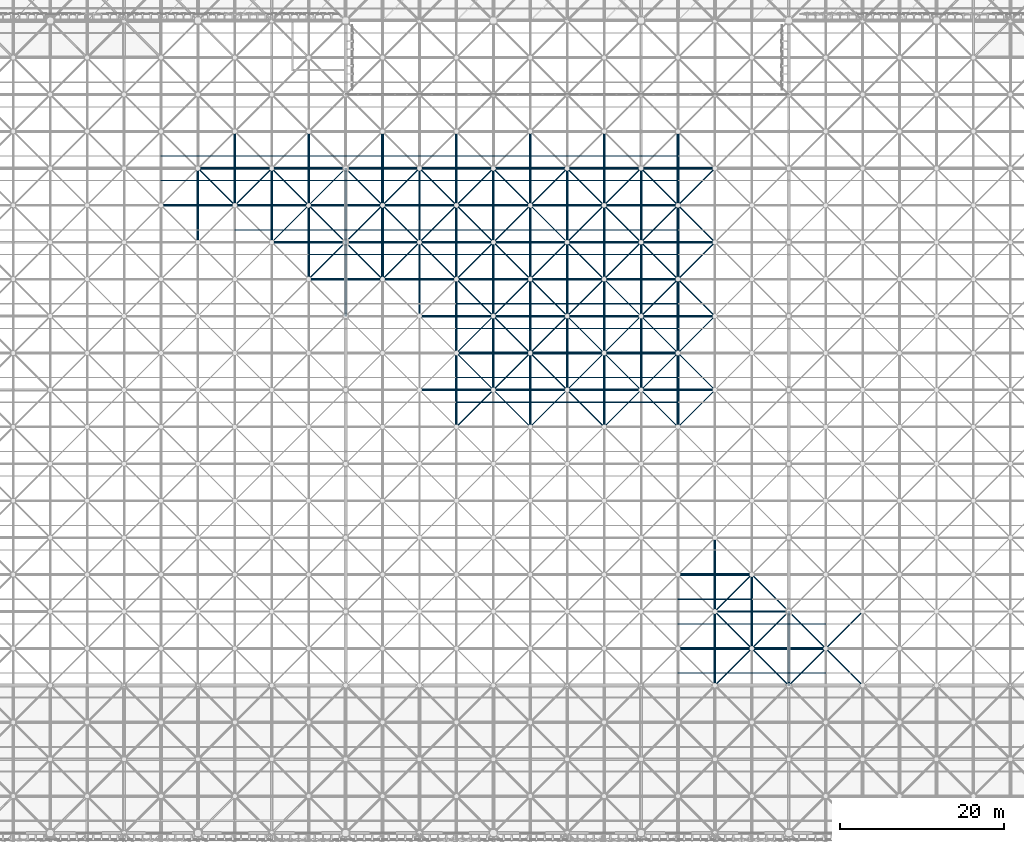
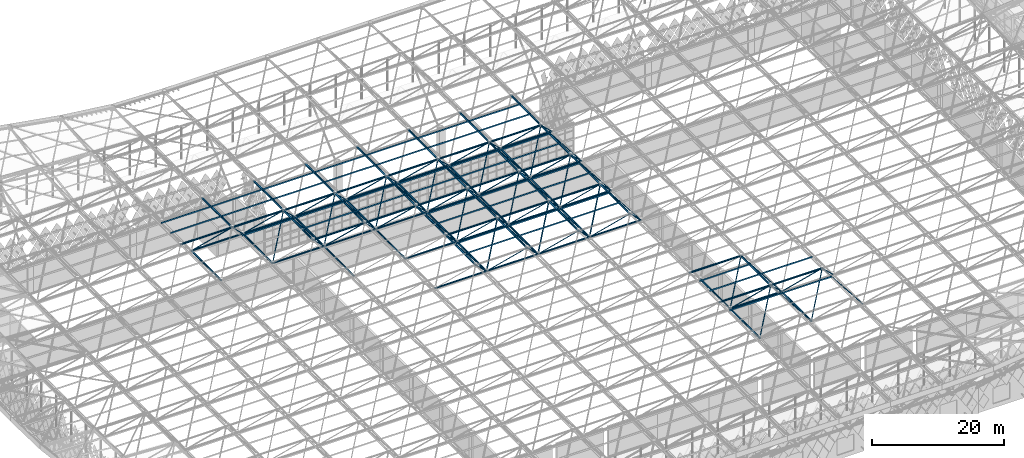
# One storey, part 92 of 437: 197 members.
"""IFC4 building model written with IfcOpenShell, lengths in metres."""

import ifcopenshell
import ifcopenshell.guid

model = None  # the IFC model being written
_history = None  # IfcOwnerHistory: only IFC2X3 demands one
_inside = {}  # id of a spatial element -> (the spatial element, [elements in it])
_under = {}  # id of a project, library or spatial element -> (it, [spatial elements below it])
_declared = {}  # id of a project -> (the project, [libraries it declares])
_typed = {}  # id of a type object -> (the type object, [elements of that type])
_made_of = {}  # id of a material, layer set ... -> (it, [elements and type objects made of it])


def new_model(schema):
    """Start an empty IFC model of exactly this schema.

    Asked for "IFC4X3", IfcOpenShell would pick the latest addendum, in which some entities
    have other attributes; the version numbers below select the first issue.
    IFC2X3 requires an IfcOwnerHistory on every rooted entity: one is made here for all.
    """
    global model, _history
    if schema == "IFC4X3":
        model = ifcopenshell.file(schema_version=(4, 3, 0, 0))
    else:
        model = ifcopenshell.file(schema=schema)
    _inside.clear()
    _under.clear()
    _declared.clear()
    _typed.clear()
    _made_of.clear()
    _history = None
    if model.schema == "IFC2X3":
        org = make("IfcOrganization", Name="unknown")
        user = make(
            "IfcPersonAndOrganization",
            ThePerson=make("IfcPerson", FamilyName="unknown"),
            TheOrganization=org,
        )
        app = make(
            "IfcApplication",
            ApplicationDeveloper=org,
            Version="unknown",
            ApplicationFullName="unknown",
            ApplicationIdentifier="unknown",
        )
        _history = make(
            "IfcOwnerHistory",
            OwningUser=user,
            OwningApplication=app,
            ChangeAction="ADDED",
            CreationDate=0,
        )
    return model


def make(cls, **values):
    """One entity of the class cls with the attributes given. An attribute that is None is left unset."""
    return model.create_entity(
        cls, **{name: value for name, value in values.items() if value is not None}
    )


def rooted(cls, **values):
    """An entity with a GlobalId (a new one), such as an element, a storey or a relation."""
    return make(cls, GlobalId=ifcopenshell.guid.new(), OwnerHistory=_history, **values)


def si_unit(unit_type, name, prefix=None):
    """IfcSIUnit, for example si_unit("LENGTHUNIT", "METRE", prefix="MILLI")."""
    return make("IfcSIUnit", UnitType=unit_type, Prefix=prefix, Name=name)


def assignment(units):
    """IfcUnitAssignment: the units of a project."""
    return None if units is None else make("IfcUnitAssignment", Units=units)


def point(xyz):
    """IfcCartesianPoint."""
    return None if xyz is None else make("IfcCartesianPoint", Coordinates=xyz)


def direction(xyz):
    """IfcDirection."""
    return None if xyz is None else make("IfcDirection", DirectionRatios=xyz)


def frame(location, z_axis=None, x_axis=None):
    """IfcAxis2Placement3D, a coordinate frame: its origin and axes. An axis left out is left unset."""
    return make(
        "IfcAxis2Placement3D",
        Location=point(location),
        Axis=direction(z_axis),
        RefDirection=direction(x_axis),
    )


def frame_2d(location, x_axis=None):
    """IfcAxis2Placement2D, a coordinate frame in the plane: its origin and x axis."""
    return make(
        "IfcAxis2Placement2D", Location=point(location), RefDirection=direction(x_axis)
    )


def origin():
    """The frame at (0, 0, 0) with its axes left unset."""
    return frame((0.0, 0.0, 0.0))


def origin_2d():
    """The frame at (0, 0) in the plane with its x axis left unset."""
    return frame_2d((0.0, 0.0))


def place(relative_to, where):
    """IfcLocalPlacement: puts the frame where relative to a parent placement (None: the world)."""
    return make(
        "IfcLocalPlacement", PlacementRelTo=relative_to, RelativePlacement=where
    )


def context(
    kind, dimensions, precision=None, world=None, true_north=None, identifier=None
):
    """IfcGeometricRepresentationContext, for example the 3D "Model" context."""
    return make(
        "IfcGeometricRepresentationContext",
        ContextIdentifier=identifier,
        ContextType=kind,
        CoordinateSpaceDimension=dimensions,
        Precision=precision,
        WorldCoordinateSystem=world,
        TrueNorth=true_north,
    )


def subcontext(parent, identifier, kind, view, scale=None):
    """IfcGeometricRepresentationSubContext, for example "Body" below "Model"."""
    return make(
        "IfcGeometricRepresentationSubContext",
        ContextIdentifier=identifier,
        ContextType=kind,
        ParentContext=parent,
        TargetScale=scale,
        TargetView=view,
    )


def project(units=None, contexts=None):
    """IfcProject with its units and contexts."""
    return rooted(
        "IfcProject",
        Name="project",
        RepresentationContexts=contexts,
        UnitsInContext=assignment(units),
    )


def spatial(cls, under=None, at=None, **own):
    """A site, building, storey or space (cls), placed at a placement, below another one or the project."""
    s = rooted(cls, ObjectPlacement=at, **own)
    if under is not None:
        _under.setdefault(under.id(), (under, []))[1].append(s)
    return s


def polyline(points):
    """IfcPolyline through the points."""
    return make("IfcPolyline", Points=[point(p) for p in points])


def profile(cls, at=None, kind="AREA", **sizes):
    """A parametric profile (cls). Its sizes go by their IFC names, for example OverallWidth=200.0."""
    return make(cls, ProfileType=kind, Position=at, **sizes)


def hollow_circle(**sizes):
    """IfcCircleHollowProfileDef."""
    return profile("IfcCircleHollowProfileDef", **sizes)


def outline(outer, holes=None, kind="AREA"):
    """IfcArbitraryClosedProfileDef: a profile drawn as a closed curve; with holes, ...WithVoids."""
    if holes is None:
        return make("IfcArbitraryClosedProfileDef", ProfileType=kind, OuterCurve=outer)
    return make(
        "IfcArbitraryProfileDefWithVoids",
        ProfileType=kind,
        OuterCurve=outer,
        InnerCurves=holes,
    )


def extrude(swept, where, along, depth):
    """IfcExtrudedAreaSolid: the profile swept, set in the frame where, extruded along a direction by depth."""
    return make(
        "IfcExtrudedAreaSolid",
        SweptArea=swept,
        Position=where,
        ExtrudedDirection=direction(along),
        Depth=depth,
    )


def shape(context_of_items, identifier, shape_type, items):
    """IfcShapeRepresentation: the items that make up one representation, for example the "Body"."""
    return make(
        "IfcShapeRepresentation",
        ContextOfItems=context_of_items,
        RepresentationIdentifier=identifier,
        RepresentationType=shape_type,
        Items=items,
    )


def material(Name=None, Category=None):
    """IfcMaterial."""
    return make("IfcMaterial", Name=Name, Category=Category)


def material_profile(
    of_material, cross_section, Name=None, Category=None, Priority=None
):
    """IfcMaterialProfile: a cross section and its material."""
    return make(
        "IfcMaterialProfile",
        Name=Name,
        Material=of_material,
        Profile=cross_section,
        Priority=Priority,
        Category=Category,
    )


def profile_set(profiles, Name=None, composite=None):
    """IfcMaterialProfileSet."""
    return make(
        "IfcMaterialProfileSet",
        Name=Name,
        MaterialProfiles=profiles,
        CompositeProfile=composite,
    )


def made_of(thing, what):
    """Note that an element or type object is made of a material, layer set ...; save() writes the relation."""
    if what is not None:
        _made_of.setdefault(what.id(), (what, []))[1].append(thing)
    return thing


def type_object(cls, material=None, **own):
    """A type object (cls), such as IfcWallType, which elements share."""
    return made_of(rooted(cls, **own), material)


def element(
    cls,
    number,
    at=None,
    inside=None,
    cuts=None,
    type_object=None,
    material=None,
    context=None,
    identifier="Body",
    shape_type=None,
    held_by="IfcProductDefinitionShape",
    body=None,
    shapes=None,
    **own,
):
    """One element of the class cls, such as IfcWall. Its Tag is "e" and its number.

    at: its placement. inside: the storey or other place that contains it. cuts: it is an
    opening in that element (IfcRelVoidsElement). A single representation is given by context,
    identifier, shape_type and body (its items); several are given by shapes. held_by: the class
    of the entity that holds the representations. save() writes the other relations.
    """
    e = rooted(cls, Tag="e%d" % number, ObjectPlacement=at, **own)
    if body is not None:
        shapes = [shape(context, identifier, shape_type, body)]
    if shapes is not None:
        e.Representation = make(held_by, Representations=shapes)
    if inside is not None:
        _inside.setdefault(inside.id(), (inside, []))[1].append(e)
    if cuts is not None:
        rooted(
            "IfcRelVoidsElement", RelatingBuildingElement=cuts, RelatedOpeningElement=e
        )
    if type_object is not None:
        _typed.setdefault(type_object.id(), (type_object, []))[1].append(e)
    return made_of(e, material)


def aggregate(whole, parts):
    """IfcRelAggregates: a whole, such as a stair, and the parts it consists of."""
    return rooted("IfcRelAggregates", RelatingObject=whole, RelatedObjects=parts)


def save(model, path):
    """Write the relations noted so far, then the file.

    IfcRelAggregates (storeys below a building ...), IfcRelContainedInSpatialStructure (elements
    in a storey), IfcRelDefinesByType, IfcRelAssociatesMaterial and IfcRelDeclares: one each for
    every whole, place, type object, material and project.
    """
    for whole, parts in _under.values():
        aggregate(whole, parts)
    for where, things in _inside.values():
        rooted(
            "IfcRelContainedInSpatialStructure",
            RelatedElements=things,
            RelatingStructure=where,
        )
    for kind, things in _typed.values():
        rooted("IfcRelDefinesByType", RelatedObjects=things, RelatingType=kind)
    for what, things in _made_of.values():
        rooted("IfcRelAssociatesMaterial", RelatedObjects=things, RelatingMaterial=what)
    for by, libraries in _declared.values():
        rooted("IfcRelDeclares", RelatingContext=by, RelatedDefinitions=libraries)
    model.write(path)


model = new_model("IFC4")

# Units and contexts
model_context = context("Model", 3, precision=1e-05, world=origin(), true_north=direction((0.0, 1.0)))
body_context = subcontext(model_context, "Body", "Model", "MODEL_VIEW")
ifc_project = project(units=[si_unit("LENGTHUNIT", "METRE"), si_unit("AREAUNIT", "SQUARE_METRE"), si_unit("VOLUMEUNIT", "CUBIC_METRE"), si_unit("PLANEANGLEUNIT", "RADIAN"), si_unit("MASSUNIT", "GRAM", prefix="KILO")], contexts=[model_context])

# Site, building, storey
site_placement = place(None, origin())
site = spatial("IfcSite", under=ifc_project, at=site_placement, CompositionType="ELEMENT")
building_placement = place(site_placement, origin())
building = spatial("IfcBuilding", under=site, at=building_placement, Name="Opaline Strait Convention Centre", CompositionType="ELEMENT")
storey_placement = place(building_placement, frame((0.0, 0.0, 11.5)))
storey = spatial("IfcBuildingStorey", under=building, at=storey_placement, Name="L02", CompositionType="ELEMENT", Elevation=11.5)

# Members
ifc_material = material(Name="Steel Q355B", Category="steel")
ifc_material_profile_1 = material_profile(ifc_material, outline(polyline([(-0.03759765625, -0.125), (0.03759765625, -0.125), (0.03759765625, -0.10498046875), (0.034912109375, -0.10498046875), (0.034912109375, -0.12255859375), (-0.034912109375, -0.12255859375), (-0.034912109375, 0.12255859375), (0.034912109375, 0.12255859375), (0.034912109375, 0.10498046875), (0.03759765625, 0.10498046875), (0.03759765625, 0.125), (-0.03759765625, 0.125), (-0.03759765625, -0.125)])), Name="C 250x75x20x2.5")
ifc_profile_set_1 = profile_set([ifc_material_profile_1], Name="Steel Q355B")
member_type_1 = type_object("IfcMemberType", Name="Roof purlin C 250x75x20x2.5", PredefinedType="PURLIN", material=ifc_profile_set_1)
for number, where, z_axis, x_axis, name in (
    (1, (193.5, 73.5, 18.257080078125), (1.0, 0.0, 0.0), (0.0, 1.0, 0.0), "EXB-RF-P-12-3-1"),
    (2, (202.5, 73.5, 18.257080078125), (1.0, 0.0, 0.0), (0.0, 1.0, 0.0), "EXB-RF-P-13-3-1"),
    (3, (193.5, 79.5, 18.257080078125), (1.0, 0.0, 0.0), (0.0, 1.0, 0.0), "EXB-RF-P-12-4-0"),
    (4, (193.5, 82.5, 18.257080078125), (1.0, 0.0, 0.0), (0.0, 1.0, 0.0), "EXB-RF-P-12-4-1"),
    (5, (202.5, 79.5, 18.257080078125), (1.0, 0.0, 0.0), (0.0, 1.0, 0.0), "EXB-RF-P-13-4-0"),
    (6, (166.5, 106.5, 18.257080078125), (1.0, 0.0, 0.0), (0.0, 1.0, 0.0), "EXB-RF-P-9-7-0"),
    (7, (166.5, 109.5, 18.257080078125), (1.0, 0.0, 0.0), (0.0, 1.0, 0.0), "EXB-RF-P-9-7-1"),
    (8, (175.5, 106.5, 18.257080078125), (1.0, 0.0, 0.0), (0.0, 1.0, 0.0), "EXB-RF-P-10-7-0"),
    (9, (175.5, 109.5, 18.257080078125), (1.0, 0.0, 0.0), (0.0, 1.0, 0.0), "EXB-RF-P-10-7-1"),
    (10, (184.5, 106.5, 18.257080078125), (1.0, 0.0, 0.0), (0.0, 1.0, 0.0), "EXB-RF-P-11-7-0"),
    (11, (184.5, 109.5, 18.257080078125), (1.0, 0.0, 0.0), (0.0, 1.0, 0.0), "EXB-RF-P-11-7-1"),
    (12, (166.5, 115.5, 18.257080078125), (1.0, 0.0, 0.0), (0.0, 1.0, 0.0), "EXB-RF-P-9-8-0"),
    (13, (166.5, 118.5, 18.257080078125), (1.0, 0.0, 0.0), (0.0, 1.0, 0.0), "EXB-RF-P-9-8-1"),
    (14, (175.5, 115.5, 18.257080078125), (1.0, 0.0, 0.0), (0.0, 1.0, 0.0), "EXB-RF-P-10-8-0"),
    (15, (175.5, 118.5, 18.257080078125), (1.0, 0.0, 0.0), (0.0, 1.0, 0.0), "EXB-RF-P-10-8-1"),
    (16, (184.5, 115.5, 18.257080078125), (1.0, 0.0, 0.0), (0.0, 1.0, 0.0), "EXB-RF-P-11-8-0"),
    (17, (184.5, 118.5, 18.257080078125), (1.0, 0.0, 0.0), (0.0, 1.0, 0.0), "EXB-RF-P-11-8-1"),
    (18, (139.5, 127.5, 18.257080078125), (1.0, 0.0, 0.0), (0.0, 1.0, 0.0), "EXB-RF-P-6-9-1"),
    (19, (148.5, 124.5, 18.257080078125), (1.0, 0.0, 0.0), (0.0, 1.0, 0.0), "EXB-RF-P-7-9-0"),
    (20, (148.5, 127.5, 18.257080078125), (1.0, 0.0, 0.0), (0.0, 1.0, 0.0), "EXB-RF-P-7-9-1"),
    (21, (157.5, 124.5, 18.257080078125), (1.0, 0.0, 0.0), (0.0, 1.0, 0.0), "EXB-RF-P-8-9-0"),
    (22, (157.5, 127.5, 18.257080078125), (1.0, 0.0, 0.0), (0.0, 1.0, 0.0), "EXB-RF-P-8-9-1"),
    (23, (166.5, 124.5, 18.257080078125), (1.0, 0.0, 0.0), (0.0, 1.0, 0.0), "EXB-RF-P-9-9-0"),
    (24, (166.5, 127.5, 18.257080078125), (1.0, 0.0, 0.0), (0.0, 1.0, 0.0), "EXB-RF-P-9-9-1"),
    (25, (175.5, 124.5, 18.257080078125), (1.0, 0.0, 0.0), (0.0, 1.0, 0.0), "EXB-RF-P-10-9-0"),
    (26, (175.5, 127.5, 18.257080078125), (1.0, 0.0, 0.0), (0.0, 1.0, 0.0), "EXB-RF-P-10-9-1"),
    (27, (184.5, 124.5, 18.257080078125), (1.0, 0.0, 0.0), (0.0, 1.0, 0.0), "EXB-RF-P-11-9-0"),
    (28, (184.5, 127.5, 18.257080078125), (1.0, 0.0, 0.0), (0.0, 1.0, 0.0), "EXB-RF-P-11-9-1"),
    (29, (130.5, 133.5, 18.257080078125), (1.0, 0.0, 0.0), (0.0, 1.0, 0.0), "EXB-RF-P-5-10-0"),
    (30, (130.5, 136.5, 18.257080078125), (1.0, 0.0, 0.0), (0.0, 1.0, 0.0), "EXB-RF-P-5-10-1"),
    (31, (139.5, 133.5, 18.257080078125), (1.0, 0.0, 0.0), (0.0, 1.0, 0.0), "EXB-RF-P-6-10-0"),
    (32, (139.5, 136.5, 18.257080078125), (1.0, 0.0, 0.0), (0.0, 1.0, 0.0), "EXB-RF-P-6-10-1"),
    (33, (148.5, 133.5, 18.257080078125), (1.0, 0.0, 0.0), (0.0, 1.0, 0.0), "EXB-RF-P-7-10-0"),
    (34, (148.5, 136.5, 18.257080078125), (1.0, 0.0, 0.0), (0.0, 1.0, 0.0), "EXB-RF-P-7-10-1"),
    (35, (157.5, 133.5, 18.257080078125), (1.0, 0.0, 0.0), (0.0, 1.0, 0.0), "EXB-RF-P-8-10-0"),
    (36, (157.5, 136.5, 18.257080078125), (1.0, 0.0, 0.0), (0.0, 1.0, 0.0), "EXB-RF-P-8-10-1"),
    (37, (166.5, 133.5, 18.257080078125), (1.0, 0.0, 0.0), (0.0, 1.0, 0.0), "EXB-RF-P-9-10-0"),
    (38, (166.5, 136.5, 18.257080078125), (1.0, 0.0, 0.0), (0.0, 1.0, 0.0), "EXB-RF-P-9-10-1"),
    (39, (175.5, 133.5, 18.257080078125), (1.0, 0.0, 0.0), (0.0, 1.0, 0.0), "EXB-RF-P-10-10-0"),
    (40, (175.5, 136.5, 18.257080078125), (1.0, 0.0, 0.0), (0.0, 1.0, 0.0), "EXB-RF-P-10-10-1"),
    (41, (184.5, 133.5, 18.257080078125), (1.0, 0.0, 0.0), (0.0, 1.0, 0.0), "EXB-RF-P-11-10-0"),
    (42, (184.5, 136.5, 18.257080078125), (1.0, 0.0, 0.0), (0.0, 1.0, 0.0), "EXB-RF-P-11-10-1"),
):
    element("IfcMember", number, at=place(storey_placement, frame(where, z_axis=z_axis, x_axis=x_axis)), inside=storey, type_object=member_type_1, Name=name, PredefinedType="PURLIN", context=body_context, shape_type="SweptSolid", body=[
        extrude(outline(polyline([(-0.03759765625, -0.125), (0.03759765625, -0.125), (0.03759765625, -0.10498046875), (0.034912109375, -0.10498046875), (0.034912109375, -0.12255859375), (-0.034912109375, -0.12255859375), (-0.034912109375, 0.12255859375), (0.034912109375, 0.12255859375), (0.034912109375, 0.10498046875), (0.03759765625, 0.10498046875), (0.03759765625, 0.125), (-0.03759765625, 0.125), (-0.03759765625, -0.125)])), origin(), (0.0, 0.0, 1.0), 9.0),
    ])
ifc_material_profile_2 = material_profile(ifc_material, hollow_circle(Radius=0.1494140625, WallThickness=0.010009765625, at=origin_2d()), Name="CHS 299x10")
ifc_profile_set_2 = profile_set([ifc_material_profile_2], Name="Steel Q355B")
member_type_2 = type_object("IfcMemberType", Name="Space frame bottom chord CHS 299x10", PredefinedType="CHORD", material=ifc_profile_set_2)
member_placement = place(storey_placement, frame((135.0, 125.949951171875, 12.5), z_axis=(0.0, 1.0, 0.0), x_axis=(-1.0, 0.0, 0.0)))
element("IfcMember", 43, at=member_placement, inside=storey, type_object=member_type_2, Name="EXB-RF-BY-5-9", PredefinedType="CHORD", context=body_context, shape_type="SweptSolid", body=[
    extrude(hollow_circle(Radius=0.1494140625, WallThickness=0.010009765625, at=origin_2d()), origin(), (0.0, 0.0, 1.0), 9.10009765625),
])
ifc_material_profile_3 = material_profile(ifc_material, hollow_circle(Radius=0.1494140625, WallThickness=0.01611328125, at=origin_2d()), Name="CHS 299x16")
ifc_profile_set_3 = profile_set([ifc_material_profile_3], Name="Steel Q355B")
member_type_3 = type_object("IfcMemberType", Name="Space frame bottom chord CHS 299x16", PredefinedType="CHORD", material=ifc_profile_set_3)
for number, where, z_axis, x_axis, name in (
    (44, (197.949951171875, 81.0, 12.5), (1.0, 0.0, 0.0), (0.0, 1.0, 0.0), "EXB-RF-BX-12-4"),
    (45, (161.949951171875, 108.0, 12.5), (1.0, 0.0, 0.0), (0.0, 1.0, 0.0), "EXB-RF-BX-8-7"),
    (46, (170.949951171875, 108.0, 12.5), (1.0, 0.0, 0.0), (0.0, 1.0, 0.0), "EXB-RF-BX-9-7"),
    (47, (179.949951171875, 108.0, 12.5), (1.0, 0.0, 0.0), (0.0, 1.0, 0.0), "EXB-RF-BX-10-7"),
    (48, (188.949951171875, 108.0, 12.5), (1.0, 0.0, 0.0), (0.0, 1.0, 0.0), "EXB-RF-BX-11-7"),
    (49, (161.949951171875, 117.0, 12.5), (1.0, 0.0, 0.0), (0.0, 1.0, 0.0), "EXB-RF-BX-8-8"),
    (50, (170.949951171875, 117.0, 12.5), (1.0, 0.0, 0.0), (0.0, 1.0, 0.0), "EXB-RF-BX-9-8"),
    (51, (179.949951171875, 117.0, 12.5), (1.0, 0.0, 0.0), (0.0, 1.0, 0.0), "EXB-RF-BX-10-8"),
    (52, (188.949951171875, 117.0, 12.5), (1.0, 0.0, 0.0), (0.0, 1.0, 0.0), "EXB-RF-BX-11-8"),
    (53, (143.949951171875, 126.0, 12.5), (1.0, 0.0, 0.0), (0.0, 1.0, 0.0), "EXB-RF-BX-6-9"),
    (54, (152.949951171875, 126.0, 12.5), (1.0, 0.0, 0.0), (0.0, 1.0, 0.0), "EXB-RF-BX-7-9"),
    (55, (161.949951171875, 126.0, 12.5), (1.0, 0.0, 0.0), (0.0, 1.0, 0.0), "EXB-RF-BX-8-9"),
    (56, (170.949951171875, 126.0, 12.5), (1.0, 0.0, 0.0), (0.0, 1.0, 0.0), "EXB-RF-BX-9-9"),
    (57, (179.949951171875, 126.0, 12.5), (1.0, 0.0, 0.0), (0.0, 1.0, 0.0), "EXB-RF-BX-10-9"),
    (58, (188.949951171875, 126.0, 12.5), (1.0, 0.0, 0.0), (0.0, 1.0, 0.0), "EXB-RF-BX-11-9"),
    (59, (144.0, 125.949951171875, 12.5), (0.0, 1.0, 0.0), (-1.0, 0.0, 0.0), "EXB-RF-BY-6-9"),
    (60, (153.0, 116.949951171875, 12.5), (0.0, 1.0, 0.0), (-1.0, 0.0, 0.0), "EXB-RF-BY-7-8"),
    (61, (153.0, 125.949951171875, 12.5), (0.0, 1.0, 0.0), (-1.0, 0.0, 0.0), "EXB-RF-BY-7-9"),
    (62, (162.0, 116.949951171875, 12.5), (0.0, 1.0, 0.0), (-1.0, 0.0, 0.0), "EXB-RF-BY-8-8"),
    (63, (162.0, 125.949951171875, 12.5), (0.0, 1.0, 0.0), (-1.0, 0.0, 0.0), "EXB-RF-BY-8-9"),
    (64, (171.0, 107.949951171875, 12.5), (0.0, 1.0, 0.0), (-1.0, 0.0, 0.0), "EXB-RF-BY-9-7"),
    (65, (171.0, 116.949951171875, 12.5), (0.0, 1.0, 0.0), (-1.0, 0.0, 0.0), "EXB-RF-BY-9-8"),
    (66, (171.0, 125.949951171875, 12.5), (0.0, 1.0, 0.0), (-1.0, 0.0, 0.0), "EXB-RF-BY-9-9"),
    (67, (180.0, 107.949951171875, 12.5), (0.0, 1.0, 0.0), (-1.0, 0.0, 0.0), "EXB-RF-BY-10-7"),
    (68, (180.0, 116.949951171875, 12.5), (0.0, 1.0, 0.0), (-1.0, 0.0, 0.0), "EXB-RF-BY-10-8"),
    (69, (180.0, 125.949951171875, 12.5), (0.0, 1.0, 0.0), (-1.0, 0.0, 0.0), "EXB-RF-BY-10-9"),
    (70, (189.0, 107.949951171875, 12.5), (0.0, 1.0, 0.0), (-1.0, 0.0, 0.0), "EXB-RF-BY-11-7"),
    (71, (189.0, 116.949951171875, 12.5), (0.0, 1.0, 0.0), (-1.0, 0.0, 0.0), "EXB-RF-BY-11-8"),
    (72, (189.0, 125.949951171875, 12.5), (0.0, 1.0, 0.0), (-1.0, 0.0, 0.0), "EXB-RF-BY-11-9"),
    (73, (198.0, 71.949951171875, 12.5), (0.0, 1.0, 0.0), (-1.0, 0.0, 0.0), "EXB-RF-BY-12-3"),
    (74, (198.0, 80.949951171875, 12.5), (0.0, 1.0, 0.0), (-1.0, 0.0, 0.0), "EXB-RF-BY-12-4"),
    (75, (207.0, 71.949951171875, 12.5), (0.0, 1.0, 0.0), (-1.0, 0.0, 0.0), "EXB-RF-BY-13-3"),
):
    element("IfcMember", number, at=place(storey_placement, frame(where, z_axis=z_axis, x_axis=x_axis)), inside=storey, type_object=member_type_3, Name=name, PredefinedType="CHORD", context=body_context, shape_type="SweptSolid", body=[
        extrude(hollow_circle(Radius=0.1494140625, WallThickness=0.01611328125, at=origin_2d()), origin(), (0.0, 0.0, 1.0), 9.10009765625),
    ])
ifc_material_profile_4 = material_profile(ifc_material, hollow_circle(Radius=0.16259765625, WallThickness=0.013916015625, at=origin_2d()), Name="CHS 325x14")
ifc_profile_set_4 = profile_set([ifc_material_profile_4], Name="Steel Q355B")
member_type_4 = type_object("IfcMemberType", Name="Space frame bottom chord CHS 325x14", PredefinedType="CHORD", material=ifc_profile_set_4)
for number, where, z_axis, x_axis, name in (
    (76, (134.949951171875, 135.0, 12.5), (1.0, 0.0, 0.0), (0.0, 1.0, 0.0), "EXB-RF-BX-5-10"),
    (77, (143.949951171875, 135.0, 12.5), (1.0, 0.0, 0.0), (0.0, 1.0, 0.0), "EXB-RF-BX-6-10"),
    (78, (152.949951171875, 135.0, 12.5), (1.0, 0.0, 0.0), (0.0, 1.0, 0.0), "EXB-RF-BX-7-10"),
    (79, (161.949951171875, 135.0, 12.5), (1.0, 0.0, 0.0), (0.0, 1.0, 0.0), "EXB-RF-BX-8-10"),
    (80, (170.949951171875, 135.0, 12.5), (1.0, 0.0, 0.0), (0.0, 1.0, 0.0), "EXB-RF-BX-9-10"),
    (81, (179.949951171875, 135.0, 12.5), (1.0, 0.0, 0.0), (0.0, 1.0, 0.0), "EXB-RF-BX-10-10"),
    (82, (188.949951171875, 135.0, 12.5), (1.0, 0.0, 0.0), (0.0, 1.0, 0.0), "EXB-RF-BX-11-10"),
):
    element("IfcMember", number, at=place(storey_placement, frame(where, z_axis=z_axis, x_axis=x_axis)), inside=storey, type_object=member_type_4, Name=name, PredefinedType="CHORD", context=body_context, shape_type="SweptSolid", body=[
        extrude(hollow_circle(Radius=0.16259765625, WallThickness=0.013916015625, at=origin_2d()), origin(), (0.0, 0.0, 1.0), 9.10009765625),
    ])
ifc_material_profile_5 = material_profile(ifc_material, hollow_circle(Radius=0.16259765625, WallThickness=0.010009765625, at=origin_2d()), Name="CHS 325x10")
ifc_profile_set_5 = profile_set([ifc_material_profile_5], Name="Steel Q355B")
member_type_5 = type_object("IfcMemberType", Name="Space frame top chord CHS 325x10", PredefinedType="CHORD", material=ifc_profile_set_5)
for number, where, z_axis, x_axis, name in (
    (83, (193.449951171875, 76.5, 17.971435546875), (1.0, 0.0, 0.0), (0.0, 1.0, 0.0), "EXB-RF-TX-12-4"),
    (84, (202.449951171875, 76.5, 17.971435546875), (1.0, 0.0, 0.0), (0.0, 1.0, 0.0), "EXB-RF-TX-13-4"),
    (85, (193.449951171875, 85.5, 17.971435546875), (1.0, 0.0, 0.0), (0.0, 1.0, 0.0), "EXB-RF-TX-12-5"),
    (86, (166.449951171875, 112.5, 17.971435546875), (1.0, 0.0, 0.0), (0.0, 1.0, 0.0), "EXB-RF-TX-9-8"),
    (87, (175.449951171875, 112.5, 17.971435546875), (1.0, 0.0, 0.0), (0.0, 1.0, 0.0), "EXB-RF-TX-10-8"),
    (88, (184.449951171875, 112.5, 17.971435546875), (1.0, 0.0, 0.0), (0.0, 1.0, 0.0), "EXB-RF-TX-11-8"),
    (89, (148.449951171875, 121.5, 17.971435546875), (1.0, 0.0, 0.0), (0.0, 1.0, 0.0), "EXB-RF-TX-7-9"),
    (90, (157.449951171875, 121.5, 17.971435546875), (1.0, 0.0, 0.0), (0.0, 1.0, 0.0), "EXB-RF-TX-8-9"),
    (91, (166.449951171875, 121.5, 17.971435546875), (1.0, 0.0, 0.0), (0.0, 1.0, 0.0), "EXB-RF-TX-9-9"),
    (92, (175.449951171875, 121.5, 17.971435546875), (1.0, 0.0, 0.0), (0.0, 1.0, 0.0), "EXB-RF-TX-10-9"),
    (93, (184.449951171875, 121.5, 17.971435546875), (1.0, 0.0, 0.0), (0.0, 1.0, 0.0), "EXB-RF-TX-11-9"),
    (94, (130.449951171875, 130.5, 17.971435546875), (1.0, 0.0, 0.0), (0.0, 1.0, 0.0), "EXB-RF-TX-5-10"),
    (95, (139.449951171875, 130.5, 17.971435546875), (1.0, 0.0, 0.0), (0.0, 1.0, 0.0), "EXB-RF-TX-6-10"),
    (96, (148.449951171875, 130.5, 17.971435546875), (1.0, 0.0, 0.0), (0.0, 1.0, 0.0), "EXB-RF-TX-7-10"),
    (97, (157.449951171875, 130.5, 17.971435546875), (1.0, 0.0, 0.0), (0.0, 1.0, 0.0), "EXB-RF-TX-8-10"),
    (98, (166.449951171875, 130.5, 17.971435546875), (1.0, 0.0, 0.0), (0.0, 1.0, 0.0), "EXB-RF-TX-9-10"),
    (99, (175.449951171875, 130.5, 17.971435546875), (1.0, 0.0, 0.0), (0.0, 1.0, 0.0), "EXB-RF-TX-10-10"),
    (100, (184.449951171875, 130.5, 17.971435546875), (1.0, 0.0, 0.0), (0.0, 1.0, 0.0), "EXB-RF-TX-11-10"),
    (101, (148.5, 121.449951171875, 17.971435546875), (0.0, 1.0, 0.0), (-1.0, 0.0, 0.0), "EXB-RF-TY-7-9"),
    (102, (157.5, 121.449951171875, 17.971435546875), (0.0, 1.0, 0.0), (-1.0, 0.0, 0.0), "EXB-RF-TY-8-9"),
    (103, (166.5, 103.449951171875, 17.971435546875), (0.0, 1.0, 0.0), (-1.0, 0.0, 0.0), "EXB-RF-TY-9-7"),
    (104, (166.5, 112.449951171875, 17.971435546875), (0.0, 1.0, 0.0), (-1.0, 0.0, 0.0), "EXB-RF-TY-9-8"),
    (105, (166.5, 121.449951171875, 17.971435546875), (0.0, 1.0, 0.0), (-1.0, 0.0, 0.0), "EXB-RF-TY-9-9"),
    (106, (175.5, 103.449951171875, 17.971435546875), (0.0, 1.0, 0.0), (-1.0, 0.0, 0.0), "EXB-RF-TY-10-7"),
    (107, (175.5, 112.449951171875, 17.971435546875), (0.0, 1.0, 0.0), (-1.0, 0.0, 0.0), "EXB-RF-TY-10-8"),
    (108, (175.5, 121.449951171875, 17.971435546875), (0.0, 1.0, 0.0), (-1.0, 0.0, 0.0), "EXB-RF-TY-10-9"),
    (109, (184.5, 103.449951171875, 17.971435546875), (0.0, 1.0, 0.0), (-1.0, 0.0, 0.0), "EXB-RF-TY-11-7"),
    (110, (184.5, 112.449951171875, 17.971435546875), (0.0, 1.0, 0.0), (-1.0, 0.0, 0.0), "EXB-RF-TY-11-8"),
    (111, (184.5, 121.449951171875, 17.971435546875), (0.0, 1.0, 0.0), (-1.0, 0.0, 0.0), "EXB-RF-TY-11-9"),
    (112, (193.5, 103.449951171875, 17.971435546875), (0.0, 1.0, 0.0), (-1.0, 0.0, 0.0), "EXB-RF-TY-12-7"),
    (113, (193.5, 112.449951171875, 17.971435546875), (0.0, 1.0, 0.0), (-1.0, 0.0, 0.0), "EXB-RF-TY-12-8"),
    (114, (193.5, 121.449951171875, 17.971435546875), (0.0, 1.0, 0.0), (-1.0, 0.0, 0.0), "EXB-RF-TY-12-9"),
    (115, (202.5, 76.449951171875, 17.971435546875), (0.0, 1.0, 0.0), (-1.0, 0.0, 0.0), "EXB-RF-TY-13-4"),
):
    element("IfcMember", number, at=place(storey_placement, frame(where, z_axis=z_axis, x_axis=x_axis)), inside=storey, type_object=member_type_5, Name=name, PredefinedType="CHORD", context=body_context, shape_type="SweptSolid", body=[
        extrude(hollow_circle(Radius=0.16259765625, WallThickness=0.010009765625, at=origin_2d()), origin(), (0.0, 0.0, 1.0), 9.10009765625),
    ])
ifc_material_profile_6 = material_profile(ifc_material, hollow_circle(Radius=0.16259765625, WallThickness=0.013916015625, at=origin_2d()), Name="CHS 325x14")
ifc_profile_set_6 = profile_set([ifc_material_profile_6], Name="Steel Q355B")
member_type_6 = type_object("IfcMemberType", Name="Space frame top chord CHS 325x14", PredefinedType="CHORD", material=ifc_profile_set_6)
for number, where, z_axis, x_axis, name in (
    (116, (139.5, 130.449951171875, 17.971435546875), (0.0, 1.0, 0.0), (-1.0, 0.0, 0.0), "EXB-RF-TY-6-10"),
    (117, (148.5, 130.449951171875, 17.971435546875), (0.0, 1.0, 0.0), (-1.0, 0.0, 0.0), "EXB-RF-TY-7-10"),
    (118, (157.5, 130.449951171875, 17.971435546875), (0.0, 1.0, 0.0), (-1.0, 0.0, 0.0), "EXB-RF-TY-8-10"),
    (119, (166.5, 130.449951171875, 17.971435546875), (0.0, 1.0, 0.0), (-1.0, 0.0, 0.0), "EXB-RF-TY-9-10"),
    (120, (175.5, 130.449951171875, 17.971435546875), (0.0, 1.0, 0.0), (-1.0, 0.0, 0.0), "EXB-RF-TY-10-10"),
    (121, (184.5, 130.449951171875, 17.971435546875), (0.0, 1.0, 0.0), (-1.0, 0.0, 0.0), "EXB-RF-TY-11-10"),
    (122, (193.5, 130.449951171875, 17.971435546875), (0.0, 1.0, 0.0), (-1.0, 0.0, 0.0), "EXB-RF-TY-12-10"),
):
    element("IfcMember", number, at=place(storey_placement, frame(where, z_axis=z_axis, x_axis=x_axis)), inside=storey, type_object=member_type_6, Name=name, PredefinedType="CHORD", context=body_context, shape_type="SweptSolid", body=[
        extrude(hollow_circle(Radius=0.16259765625, WallThickness=0.013916015625, at=origin_2d()), origin(), (0.0, 0.0, 1.0), 9.10009765625),
    ])
ifc_material_profile_7 = material_profile(ifc_material, hollow_circle(Radius=0.070068359375, WallThickness=0.0048828125, at=origin_2d()), Name="CHS 140x5")
ifc_profile_set_7 = profile_set([ifc_material_profile_7], Name="Steel Q355B")
member_type_7 = type_object("IfcMemberType", Name="Space frame web CHS 140x5", PredefinedType="BRACE", material=ifc_profile_set_7)
for number, where, z_axis, x_axis, name in (
    (123, (166.47314453125, 103.47314453125, 18.004150390625), (0.536178220346, 0.536178220346, -0.6519400525), (-0.707106781187, 0.707106781187, 0.0), "EXB-RF-W-9-7-00"),
    (124, (166.47314453125, 112.52685546875, 18.004150390625), (0.536178220346, -0.536178220346, -0.6519400525), (0.707106781187, 0.707106781187, 0.0), "EXB-RF-W-9-7-01"),
    (125, (175.52685546875, 103.47314453125, 18.004150390625), (-0.536178220346, 0.536178220346, -0.6519400525), (-0.707106781187, -0.707106781187, 0.0), "EXB-RF-W-9-7-10"),
    (126, (175.52685546875, 112.52685546875, 18.004150390625), (-0.536178220346, -0.536178220346, -0.6519400525), (0.707106781187, -0.707106781187, 0.0), "EXB-RF-W-9-7-11"),
    (127, (166.47314453125, 112.47314453125, 18.004150390625), (0.536178220346, 0.536178220346, -0.6519400525), (-0.707106781187, 0.707106781187, 0.0), "EXB-RF-W-9-8-00"),
    (128, (175.52685546875, 112.47314453125, 18.004150390625), (-0.536178220346, 0.536178220346, -0.6519400525), (-0.707106781187, -0.707106781187, 0.0), "EXB-RF-W-9-8-10"),
    (129, (175.47314453125, 103.47314453125, 18.004150390625), (0.536178220346, 0.536178220346, -0.6519400525), (-0.707106781187, 0.707106781187, 0.0), "EXB-RF-W-10-7-00"),
    (130, (175.47314453125, 112.52685546875, 18.004150390625), (0.536178220346, -0.536178220346, -0.6519400525), (0.707106781187, 0.707106781187, 0.0), "EXB-RF-W-10-7-01"),
    (131, (184.52685546875, 103.47314453125, 18.004150390625), (-0.536178220346, 0.536178220346, -0.6519400525), (-0.707106781187, -0.707106781187, 0.0), "EXB-RF-W-10-7-10"),
    (132, (184.52685546875, 112.52685546875, 18.004150390625), (-0.536178220346, -0.536178220346, -0.6519400525), (0.707106781187, -0.707106781187, 0.0), "EXB-RF-W-10-7-11"),
    (133, (175.47314453125, 112.47314453125, 18.004150390625), (0.536178220346, 0.536178220346, -0.6519400525), (-0.707106781187, 0.707106781187, 0.0), "EXB-RF-W-10-8-00"),
    (134, (184.52685546875, 112.47314453125, 18.004150390625), (-0.536178220346, 0.536178220346, -0.6519400525), (-0.707106781187, -0.707106781187, 0.0), "EXB-RF-W-10-8-10"),
    (135, (184.47314453125, 103.47314453125, 18.004150390625), (0.536178220346, 0.536178220346, -0.6519400525), (-0.707106781187, 0.707106781187, 0.0), "EXB-RF-W-11-7-00"),
    (136, (184.47314453125, 112.52685546875, 18.004150390625), (0.536178220346, -0.536178220346, -0.6519400525), (0.707106781187, 0.707106781187, 0.0), "EXB-RF-W-11-7-01"),
    (137, (193.52685546875, 103.47314453125, 18.004150390625), (-0.536178220346, 0.536178220346, -0.6519400525), (-0.707106781187, -0.707106781187, 0.0), "EXB-RF-W-11-7-10"),
    (138, (193.52685546875, 112.52685546875, 18.004150390625), (-0.536178220346, -0.536178220346, -0.6519400525), (0.707106781187, -0.707106781187, 0.0), "EXB-RF-W-11-7-11"),
    (139, (184.47314453125, 112.47314453125, 18.004150390625), (0.536178220346, 0.536178220346, -0.6519400525), (-0.707106781187, 0.707106781187, 0.0), "EXB-RF-W-11-8-00"),
    (140, (193.52685546875, 112.47314453125, 18.004150390625), (-0.536178220346, 0.536178220346, -0.6519400525), (-0.707106781187, -0.707106781187, 0.0), "EXB-RF-W-11-8-10"),
    (141, (193.47314453125, 103.47314453125, 18.004150390625), (0.536178220346, 0.536178220346, -0.6519400525), (-0.707106781187, 0.707106781187, 0.0), "EXB-RF-W-12-7-00"),
    (142, (193.47314453125, 112.52685546875, 18.004150390625), (0.536178220346, -0.536178220346, -0.6519400525), (0.707106781187, 0.707106781187, 0.0), "EXB-RF-W-12-7-01"),
    (143, (193.47314453125, 112.47314453125, 18.004150390625), (0.536178220346, 0.536178220346, -0.6519400525), (-0.707106781187, 0.707106781187, 0.0), "EXB-RF-W-12-8-00"),
):
    element("IfcMember", number, at=place(storey_placement, frame(where, z_axis=z_axis, x_axis=x_axis)), inside=storey, type_object=member_type_7, Name=name, PredefinedType="BRACE", context=body_context, shape_type="SweptSolid", body=[
        extrude(hollow_circle(Radius=0.070068359375, WallThickness=0.0048828125, at=origin_2d()), origin(), (0.0, 0.0, 1.0), 8.492919921875),
    ])
ifc_material_profile_8 = material_profile(ifc_material, hollow_circle(Radius=0.083984375, WallThickness=0.008056640625, at=origin_2d()), Name="CHS 168x8")
ifc_profile_set_8 = profile_set([ifc_material_profile_8], Name="Steel Q355B")
member_type_8 = type_object("IfcMemberType", Name="Space frame web CHS 168x8", PredefinedType="BRACE", material=ifc_profile_set_8)
for number, where, z_axis, x_axis, name in (
    (144, (139.52685546875, 130.47314453125, 18.004150390625), (-0.536178220346, 0.536178220346, -0.6519400525), (-0.707106781187, -0.707106781187, 0.0), "EXB-RF-W-5-10-10"),
    (145, (148.52685546875, 130.52685546875, 18.004150390625), (-0.536178220346, -0.536178220346, -0.6519400525), (0.707106781187, -0.707106781187, 0.0), "EXB-RF-W-6-9-11"),
    (146, (139.47314453125, 130.47314453125, 18.004150390625), (0.536178220346, 0.536178220346, -0.6519400525), (-0.707106781187, 0.707106781187, 0.0), "EXB-RF-W-6-10-00"),
    (147, (148.52685546875, 130.47314453125, 18.004150390625), (-0.536178220346, 0.536178220346, -0.6519400525), (-0.707106781187, -0.707106781187, 0.0), "EXB-RF-W-6-10-10"),
    (148, (148.47314453125, 121.47314453125, 18.004150390625), (0.536178220346, 0.536178220346, -0.6519400525), (-0.707106781187, 0.707106781187, 0.0), "EXB-RF-W-7-9-00"),
    (149, (148.47314453125, 130.52685546875, 18.004150390625), (0.536178220346, -0.536178220346, -0.6519400525), (0.707106781187, 0.707106781187, 0.0), "EXB-RF-W-7-9-01"),
    (150, (157.52685546875, 121.47314453125, 18.004150390625), (-0.536178220346, 0.536178220346, -0.6519400525), (-0.707106781187, -0.707106781187, 0.0), "EXB-RF-W-7-9-10"),
    (151, (157.52685546875, 130.52685546875, 18.004150390625), (-0.536178220346, -0.536178220346, -0.6519400525), (0.707106781187, -0.707106781187, 0.0), "EXB-RF-W-7-9-11"),
    (152, (148.47314453125, 130.47314453125, 18.004150390625), (0.536178220346, 0.536178220346, -0.6519400525), (-0.707106781187, 0.707106781187, 0.0), "EXB-RF-W-7-10-00"),
    (153, (157.52685546875, 130.47314453125, 18.004150390625), (-0.536178220346, 0.536178220346, -0.6519400525), (-0.707106781187, -0.707106781187, 0.0), "EXB-RF-W-7-10-10"),
    (154, (157.47314453125, 121.47314453125, 18.004150390625), (0.536178220346, 0.536178220346, -0.6519400525), (-0.707106781187, 0.707106781187, 0.0), "EXB-RF-W-8-9-00"),
    (155, (157.47314453125, 130.52685546875, 18.004150390625), (0.536178220346, -0.536178220346, -0.6519400525), (0.707106781187, 0.707106781187, 0.0), "EXB-RF-W-8-9-01"),
    (156, (166.52685546875, 121.47314453125, 18.004150390625), (-0.536178220346, 0.536178220346, -0.6519400525), (-0.707106781187, -0.707106781187, 0.0), "EXB-RF-W-8-9-10"),
    (157, (166.52685546875, 130.52685546875, 18.004150390625), (-0.536178220346, -0.536178220346, -0.6519400525), (0.707106781187, -0.707106781187, 0.0), "EXB-RF-W-8-9-11"),
    (158, (157.47314453125, 130.47314453125, 18.004150390625), (0.536178220346, 0.536178220346, -0.6519400525), (-0.707106781187, 0.707106781187, 0.0), "EXB-RF-W-8-10-00"),
    (159, (166.52685546875, 130.47314453125, 18.004150390625), (-0.536178220346, 0.536178220346, -0.6519400525), (-0.707106781187, -0.707106781187, 0.0), "EXB-RF-W-8-10-10"),
    (160, (166.47314453125, 121.52685546875, 18.004150390625), (0.536178220346, -0.536178220346, -0.6519400525), (0.707106781187, 0.707106781187, 0.0), "EXB-RF-W-9-8-01"),
    (161, (175.52685546875, 121.52685546875, 18.004150390625), (-0.536178220346, -0.536178220346, -0.6519400525), (0.707106781187, -0.707106781187, 0.0), "EXB-RF-W-9-8-11"),
    (162, (166.47314453125, 121.47314453125, 18.004150390625), (0.536178220346, 0.536178220346, -0.6519400525), (-0.707106781187, 0.707106781187, 0.0), "EXB-RF-W-9-9-00"),
    (163, (166.47314453125, 130.52685546875, 18.004150390625), (0.536178220346, -0.536178220346, -0.6519400525), (0.707106781187, 0.707106781187, 0.0), "EXB-RF-W-9-9-01"),
    (164, (175.52685546875, 121.47314453125, 18.004150390625), (-0.536178220346, 0.536178220346, -0.6519400525), (-0.707106781187, -0.707106781187, 0.0), "EXB-RF-W-9-9-10"),
    (165, (175.52685546875, 130.52685546875, 18.004150390625), (-0.536178220346, -0.536178220346, -0.6519400525), (0.707106781187, -0.707106781187, 0.0), "EXB-RF-W-9-9-11"),
    (166, (166.47314453125, 130.47314453125, 18.004150390625), (0.536178220346, 0.536178220346, -0.6519400525), (-0.707106781187, 0.707106781187, 0.0), "EXB-RF-W-9-10-00"),
    (167, (175.52685546875, 130.47314453125, 18.004150390625), (-0.536178220346, 0.536178220346, -0.6519400525), (-0.707106781187, -0.707106781187, 0.0), "EXB-RF-W-9-10-10"),
    (168, (175.47314453125, 121.52685546875, 18.004150390625), (0.536178220346, -0.536178220346, -0.6519400525), (0.707106781187, 0.707106781187, 0.0), "EXB-RF-W-10-8-01"),
    (169, (184.52685546875, 121.52685546875, 18.004150390625), (-0.536178220346, -0.536178220346, -0.6519400525), (0.707106781187, -0.707106781187, 0.0), "EXB-RF-W-10-8-11"),
    (170, (175.47314453125, 121.47314453125, 18.004150390625), (0.536178220346, 0.536178220346, -0.6519400525), (-0.707106781187, 0.707106781187, 0.0), "EXB-RF-W-10-9-00"),
    (171, (175.47314453125, 130.52685546875, 18.004150390625), (0.536178220346, -0.536178220346, -0.6519400525), (0.707106781187, 0.707106781187, 0.0), "EXB-RF-W-10-9-01"),
    (172, (184.52685546875, 121.47314453125, 18.004150390625), (-0.536178220346, 0.536178220346, -0.6519400525), (-0.707106781187, -0.707106781187, 0.0), "EXB-RF-W-10-9-10"),
    (173, (184.52685546875, 130.52685546875, 18.004150390625), (-0.536178220346, -0.536178220346, -0.6519400525), (0.707106781187, -0.707106781187, 0.0), "EXB-RF-W-10-9-11"),
    (174, (175.47314453125, 130.47314453125, 18.004150390625), (0.536178220346, 0.536178220346, -0.6519400525), (-0.707106781187, 0.707106781187, 0.0), "EXB-RF-W-10-10-00"),
    (175, (184.52685546875, 130.47314453125, 18.004150390625), (-0.536178220346, 0.536178220346, -0.6519400525), (-0.707106781187, -0.707106781187, 0.0), "EXB-RF-W-10-10-10"),
    (176, (184.47314453125, 121.52685546875, 18.004150390625), (0.536178220346, -0.536178220346, -0.6519400525), (0.707106781187, 0.707106781187, 0.0), "EXB-RF-W-11-8-01"),
    (177, (193.52685546875, 121.52685546875, 18.004150390625), (-0.536178220346, -0.536178220346, -0.6519400525), (0.707106781187, -0.707106781187, 0.0), "EXB-RF-W-11-8-11"),
    (178, (184.47314453125, 121.47314453125, 18.004150390625), (0.536178220346, 0.536178220346, -0.6519400525), (-0.707106781187, 0.707106781187, 0.0), "EXB-RF-W-11-9-00"),
    (179, (184.47314453125, 130.52685546875, 18.004150390625), (0.536178220346, -0.536178220346, -0.6519400525), (0.707106781187, 0.707106781187, 0.0), "EXB-RF-W-11-9-01"),
    (180, (193.52685546875, 121.47314453125, 18.004150390625), (-0.536178220346, 0.536178220346, -0.6519400525), (-0.707106781187, -0.707106781187, 0.0), "EXB-RF-W-11-9-10"),
    (181, (193.52685546875, 130.52685546875, 18.004150390625), (-0.536178220346, -0.536178220346, -0.6519400525), (0.707106781187, -0.707106781187, 0.0), "EXB-RF-W-11-9-11"),
    (182, (184.47314453125, 130.47314453125, 18.004150390625), (0.536178220346, 0.536178220346, -0.6519400525), (-0.707106781187, 0.707106781187, 0.0), "EXB-RF-W-11-10-00"),
    (183, (193.52685546875, 130.47314453125, 18.004150390625), (-0.536178220346, 0.536178220346, -0.6519400525), (-0.707106781187, -0.707106781187, 0.0), "EXB-RF-W-11-10-10"),
    (184, (202.52685546875, 76.52685546875, 18.004150390625), (-0.536178220346, -0.536178220346, -0.6519400525), (0.707106781187, -0.707106781187, 0.0), "EXB-RF-W-12-3-11"),
    (185, (202.52685546875, 76.47314453125, 18.004150390625), (-0.536178220346, 0.536178220346, -0.6519400525), (-0.707106781187, -0.707106781187, 0.0), "EXB-RF-W-12-4-10"),
    (186, (202.52685546875, 85.52685546875, 18.004150390625), (-0.536178220346, -0.536178220346, -0.6519400525), (0.707106781187, -0.707106781187, 0.0), "EXB-RF-W-12-4-11"),
    (187, (193.47314453125, 121.52685546875, 18.004150390625), (0.536178220346, -0.536178220346, -0.6519400525), (0.707106781187, 0.707106781187, 0.0), "EXB-RF-W-12-8-01"),
    (188, (193.47314453125, 121.47314453125, 18.004150390625), (0.536178220346, 0.536178220346, -0.6519400525), (-0.707106781187, 0.707106781187, 0.0), "EXB-RF-W-12-9-00"),
    (189, (193.47314453125, 130.52685546875, 18.004150390625), (0.536178220346, -0.536178220346, -0.6519400525), (0.707106781187, 0.707106781187, 0.0), "EXB-RF-W-12-9-01"),
    (190, (193.47314453125, 130.47314453125, 18.004150390625), (0.536178220346, 0.536178220346, -0.6519400525), (-0.707106781187, 0.707106781187, 0.0), "EXB-RF-W-12-10-00"),
    (191, (202.47314453125, 76.52685546875, 18.004150390625), (0.536178220346, -0.536178220346, -0.6519400525), (0.707106781187, 0.707106781187, 0.0), "EXB-RF-W-13-3-01"),
    (192, (211.52685546875, 76.52685546875, 18.004150390625), (-0.536178220346, -0.536178220346, -0.6519400525), (0.707106781187, -0.707106781187, 0.0), "EXB-RF-W-13-3-11"),
    (193, (202.47314453125, 76.47314453125, 18.004150390625), (0.536178220346, 0.536178220346, -0.6519400525), (-0.707106781187, 0.707106781187, 0.0), "EXB-RF-W-13-4-00"),
    (194, (202.47314453125, 85.52685546875, 18.004150390625), (0.536178220346, -0.536178220346, -0.6519400525), (0.707106781187, 0.707106781187, 0.0), "EXB-RF-W-13-4-01"),
    (195, (211.52685546875, 76.47314453125, 18.004150390625), (-0.536178220346, 0.536178220346, -0.6519400525), (-0.707106781187, -0.707106781187, 0.0), "EXB-RF-W-13-4-10"),
    (196, (211.47314453125, 76.52685546875, 18.004150390625), (0.536178220346, -0.536178220346, -0.6519400525), (0.707106781187, 0.707106781187, 0.0), "EXB-RF-W-14-3-01"),
    (197, (211.47314453125, 76.47314453125, 18.004150390625), (0.536178220346, 0.536178220346, -0.6519400525), (-0.707106781187, 0.707106781187, 0.0), "EXB-RF-W-14-4-00"),
):
    element("IfcMember", number, at=place(storey_placement, frame(where, z_axis=z_axis, x_axis=x_axis)), inside=storey, type_object=member_type_8, Name=name, PredefinedType="BRACE", context=body_context, shape_type="SweptSolid", body=[
        extrude(hollow_circle(Radius=0.083984375, WallThickness=0.008056640625, at=origin_2d()), origin(), (0.0, 0.0, 1.0), 8.492919921875),
    ])

save(model, "model.ifc")
